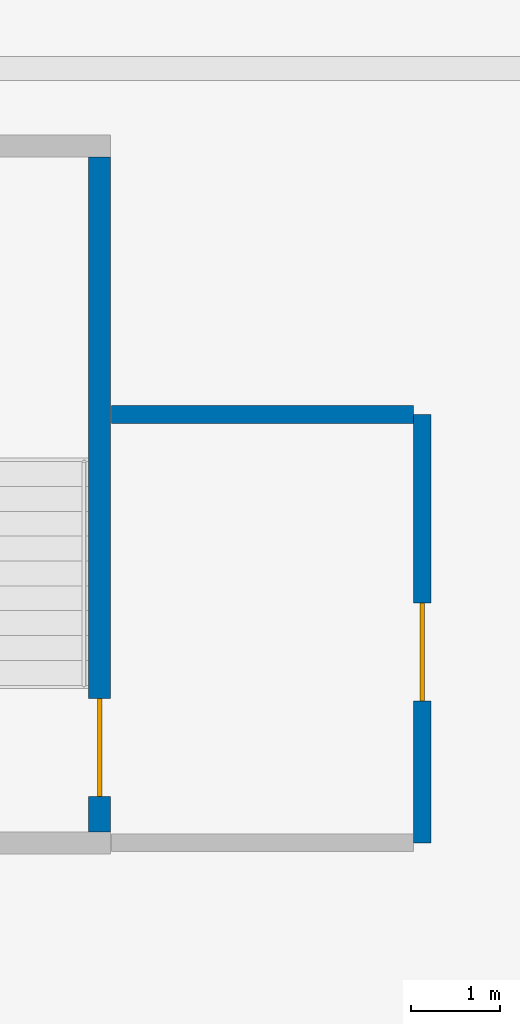
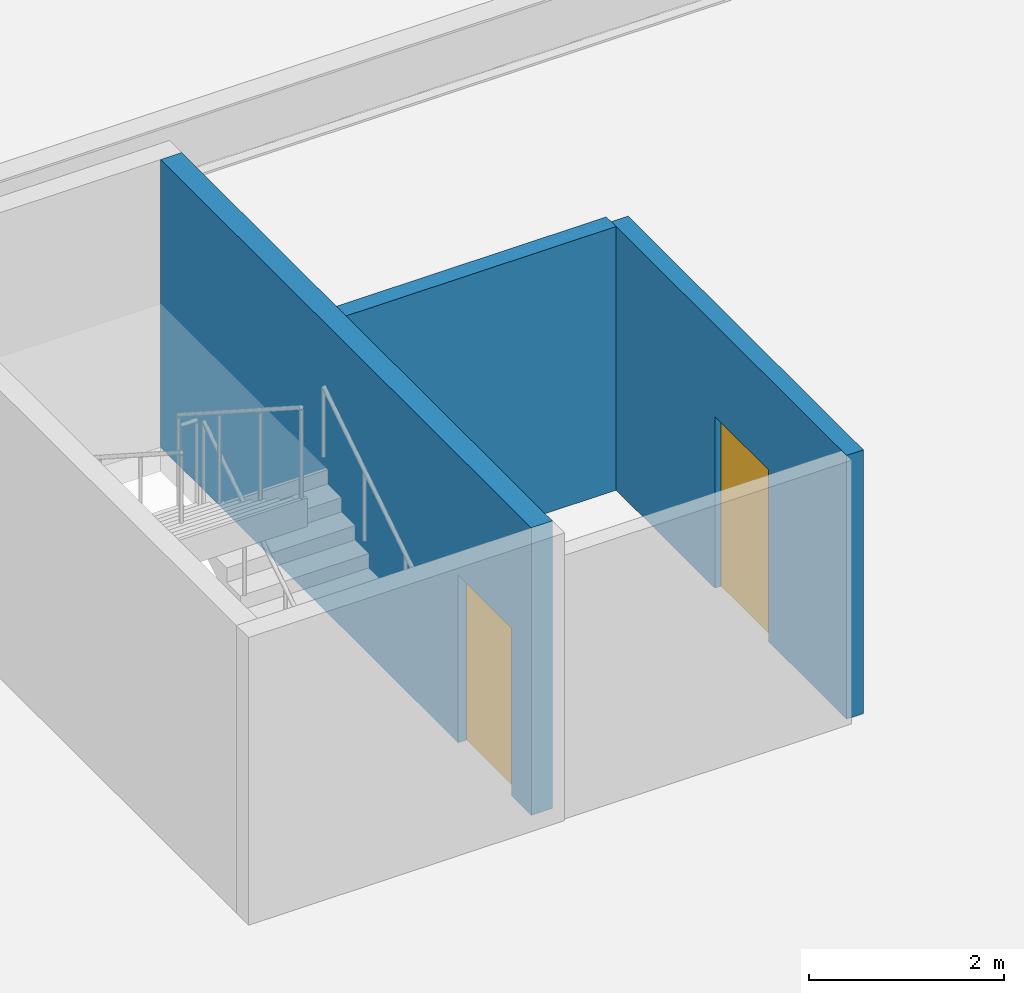
# One storey, part 4 of 23: 3 walls, 2 doors, 2 openings.
"""IFC4 building model written with IfcOpenShell, lengths in metres."""

from ifc_helpers import new_model, si_unit, direction, frame, frame_2d, origin, place, context, subcontext, project, spatial, rectangle, extrude, material, layer, layer_set, type_object, element, fill, save


model = new_model("IFC4")

# Units and contexts
model_context = context("Model", 3, precision=1e-05, world=origin(), true_north=direction((0.0, 1.0)))
body_context = subcontext(model_context, "Body", "Model", "MODEL_VIEW")
ifc_project = project(units=[si_unit("LENGTHUNIT", "METRE"), si_unit("AREAUNIT", "SQUARE_METRE"), si_unit("VOLUMEUNIT", "CUBIC_METRE"), si_unit("PLANEANGLEUNIT", "RADIAN"), si_unit("MASSUNIT", "GRAM", prefix="KILO")], contexts=[model_context])

# Site, building, storey
site_placement = place(None, origin())
site = spatial("IfcSite", under=ifc_project, at=site_placement, CompositionType="ELEMENT")
building_placement = place(site_placement, origin())
building = spatial("IfcBuilding", under=site, at=building_placement, Name="Korimba Cascade Residences", CompositionType="ELEMENT")
storey_placement = place(building_placement, frame((0.0, 0.0, -3.60009765625)))
storey = spatial("IfcBuildingStorey", under=building, at=storey_placement, Name="B01", CompositionType="ELEMENT", Elevation=-3.60009765625)

# Wall, opening, door
ifc_material_1 = material(Name="Concrete C40/50", Category="concrete")
ifc_layer_1 = layer(ifc_material_1, 0.199951171875)
ifc_layer_set_1 = layer_set([ifc_layer_1], Name="Concrete C40/50")
wall_type_1 = type_object("IfcWallType", Name="WAL-PART-200", PredefinedType="PARTITIONING", material=ifc_layer_set_1)
wall_1_placement = place(storey_placement, frame((65.0, -12.925048828125, 0.0), z_axis=(0.0, 0.0, 1.0), x_axis=(0.0, 1.0, 0.0)))
wall_1 = element("IfcWall", 1, at=wall_1_placement, inside=storey, type_object=wall_type_1, Name="B01 Partition Wall CW-B01-PL3E", PredefinedType="PARTITIONING", context=body_context, shape_type="SweptSolid", body=[
    extrude(rectangle(XDim=4.824951171875, YDim=0.199951171875, at=frame_2d((2.41259765625, 0.0))), origin(), (0.0, 0.0, 1.0), 3.300048828125),
])
opening_1_placement = place(wall_1_placement, frame((1.60009765625, 0.0, 0.0)))
opening_1 = element("IfcOpeningElement", 2, at=opening_1_placement, cuts=wall_1, Name="Opening D-FD6", PredefinedType="OPENING", context=body_context, shape_type="SweptSolid", body=[
    extrude(rectangle(XDim=1.10009765625, YDim=2.14990234375, at=frame_2d((0.550048828125, 1.074951171875))), frame((0.0, 0.10986328125, 0.0), z_axis=(0.0, -1.0, 0.0), x_axis=(1.0, 0.0, 0.0)), (0.0, 0.0, 1.0), 0.219970703125),
])
ifc_material_2 = material(Name="Fire-Rated Timber Stair Lobby Door", Category="wood")
door_type_1 = type_object("IfcDoorType", Name="DR-FD90-1100", OperationType="NOTDEFINED", PredefinedType="DOOR", material=ifc_material_2)
door_1_placement = place(opening_1_placement, origin())
door_1 = element("IfcDoor", 3, at=door_1_placement, inside=storey, type_object=door_type_1, Name="B01 South-West Stair Vestibule Door", OperationType="SINGLE_SWING_LEFT", OverallHeight=2.14990234375, OverallWidth=1.10009765625, PredefinedType="DOOR", context=body_context, shape_type="SweptSolid", body=[
    extrude(rectangle(XDim=1.10009765625, YDim=2.14990234375, at=frame_2d((0.550048828125, 1.074951171875))), frame((0.0, 0.02490234375, 0.0), z_axis=(0.0, -1.0, 0.0), x_axis=(1.0, 0.0, 0.0)), (0.0, 0.0, 1.0), 0.050048828125),
])
fill(opening_1, door_1)

# Wall
wall_2_placement = place(storey_placement, frame((61.5, -8.10009765625, 0.0), z_axis=(0.0, 0.0, 1.0), x_axis=(1.0, 0.0, 0.0)))
element("IfcWall", 4, at=wall_2_placement, inside=storey, type_object=wall_type_1, Name="B01 Partition Wall CW-B01-PL3N", PredefinedType="PARTITIONING", context=body_context, shape_type="SweptSolid", body=[
    extrude(rectangle(XDim=3.39990234375, YDim=0.199951171875, at=frame_2d((1.699951171875, 0.0))), origin(), (0.0, 0.0, 1.0), 3.300048828125),
])

# Wall, opening, door
ifc_material_3 = material(Name="Concrete C50/60", Category="concrete")
ifc_layer_2 = layer(ifc_material_3, 0.25)
ifc_layer_set_2 = layer_set([ifc_layer_2], Name="Concrete C50/60")
wall_type_2 = type_object("IfcWallType", Name="WAL-SHAFT-250", PredefinedType="SHEAR", material=ifc_layer_set_2)
wall_3_placement = place(storey_placement, frame((61.364990234375, -12.800048828125, 0.0), z_axis=(0.0, 0.0, 1.0), x_axis=(0.0, 1.0, 0.0)))
wall_3 = element("IfcWall", 5, at=wall_3_placement, inside=storey, type_object=wall_type_2, Name="B01 Core Shear Wall CW-B01-STP3E", PredefinedType="SHEAR", context=body_context, shape_type="SweptSolid", body=[
    extrude(rectangle(XDim=7.60009765625, YDim=0.25, at=frame_2d((3.800048828125, 0.0))), origin(), (0.0, 0.0, 1.0), 3.60009765625),
])
opening_2_placement = place(wall_3_placement, frame((0.39990234375, 0.0, 0.0)))
opening_2 = element("IfcOpeningElement", 6, at=opening_2_placement, cuts=wall_3, Name="Opening D-FD1", PredefinedType="OPENING", context=body_context, shape_type="SweptSolid", body=[
    extrude(rectangle(XDim=1.10009765625, YDim=2.10009765625, at=frame_2d((0.550048828125, 1.050048828125))), frame((0.0, 0.135009765625, 0.0), z_axis=(0.0, -1.0, 0.0), x_axis=(1.0, 0.0, 0.0)), (0.0, 0.0, 1.0), 0.27001953125),
])
ifc_material_4 = material(Name="Fire-Rated Steel Core Door", Category="steel")
door_type_2 = type_object("IfcDoorType", Name="DR-FD120-1100", OperationType="NOTDEFINED", PredefinedType="DOOR", material=ifc_material_4)
door_2_placement = place(opening_2_placement, origin())
door_2 = element("IfcDoor", 7, at=door_2_placement, inside=storey, type_object=door_type_2, Name="B01 Podium Stair ST-P3 Door", OperationType="SINGLE_SWING_RIGHT", OverallHeight=2.10009765625, OverallWidth=1.10009765625, PredefinedType="DOOR", context=body_context, shape_type="SweptSolid", body=[
    extrude(rectangle(XDim=1.10009765625, YDim=2.10009765625, at=frame_2d((0.550048828125, 1.050048828125))), frame((0.0, 0.02490234375, 0.0), z_axis=(0.0, -1.0, 0.0), x_axis=(1.0, 0.0, 0.0)), (0.0, 0.0, 1.0), 0.050048828125),
])
fill(opening_2, door_2)

save(model, "model.ifc")
